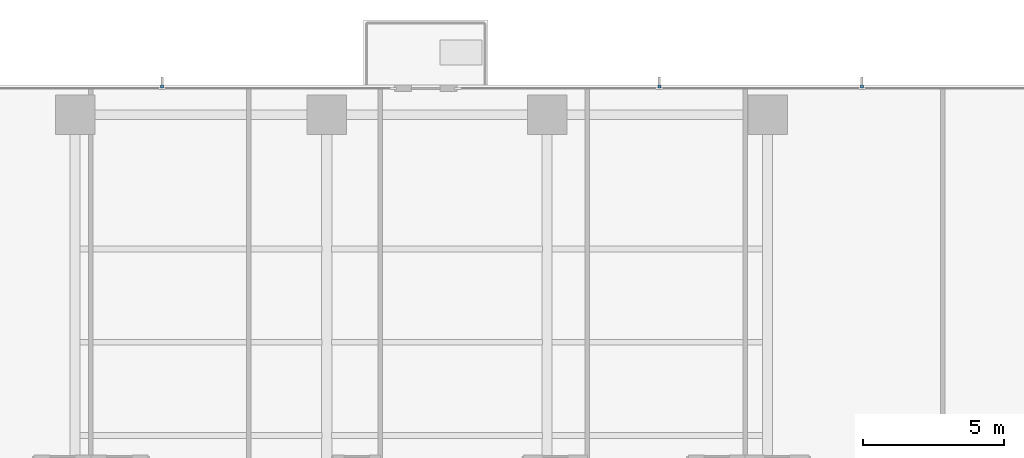
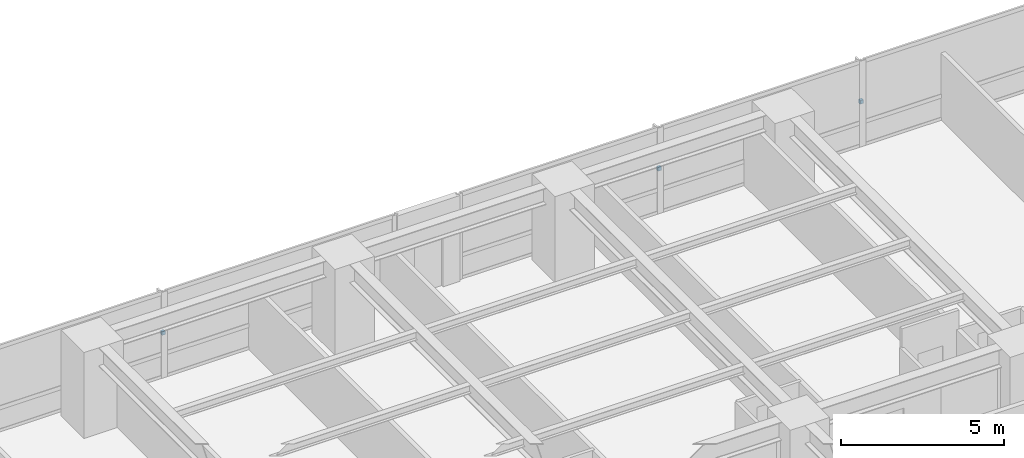
# One storey, part 14 of 17: 3 discrete accessories.
"""IFC4 building model written with IfcOpenShell, lengths in metres."""

from ifc_helpers import new_model, si_unit, direction, frame, origin, place, context, subcontext, project, spatial, polyline, outline, extrude, material, type_object, element, save


model = new_model("IFC4")

# Units and contexts
model_context = context("Model", 3, precision=1e-05, world=origin(), true_north=direction((0.0, 1.0)))
body_context = subcontext(model_context, "Body", "Model", "MODEL_VIEW")
ifc_project = project(units=[si_unit("LENGTHUNIT", "METRE"), si_unit("AREAUNIT", "SQUARE_METRE"), si_unit("VOLUMEUNIT", "CUBIC_METRE"), si_unit("PLANEANGLEUNIT", "RADIAN"), si_unit("MASSUNIT", "GRAM", prefix="KILO")], contexts=[model_context])

# Site, building, storey
site_placement = place(None, origin())
site = spatial("IfcSite", under=ifc_project, at=site_placement, CompositionType="ELEMENT")
building_placement = place(site_placement, origin())
building = spatial("IfcBuilding", under=site, at=building_placement, Name="Qalmaran Belvedere Hotel", CompositionType="ELEMENT")
storey_placement = place(building_placement, frame((0.0, 0.0, 61.39990234375)))
storey = spatial("IfcBuildingStorey", under=building, at=storey_placement, Name="L15", CompositionType="ELEMENT", Elevation=61.39990234375)

# Discrete accessories
ifc_material = material(Name="Stainless Steel 1.4401", Category="steel")
discrete_accessory_type = type_object("IfcDiscreteAccessoryType", Name="BRK-FIN-SS316", PredefinedType="BRACKET", material=ifc_material)
discrete_accessory_1_placement = place(storey_placement, frame((0.0, 0.0, 1.56005859375)))
element("IfcDiscreteAccessory", 1, at=discrete_accessory_1_placement, inside=storey, type_object=discrete_accessory_type, Name="L15 Fin Bracket 1", PredefinedType="BRACKET", context=body_context, shape_type="SweptSolid", body=[
    extrude(outline(polyline([(23.429931640625, 48.39501953125), (23.429931640625, 48.492431640625), (23.320068359375, 48.492431640625), (23.320068359375, 48.39501953125), (23.429931640625, 48.39501953125)])), origin(), (0.0, 0.0, 1.0), 0.14013671875),
])
discrete_accessory_2_placement = place(storey_placement, frame((0.0, 0.0, 1.56005859375)))
element("IfcDiscreteAccessory", 2, at=discrete_accessory_2_placement, inside=storey, type_object=discrete_accessory_type, Name="L15 Fin Bracket 1", PredefinedType="BRACKET", context=body_context, shape_type="SweptSolid", body=[
    extrude(outline(polyline([(48.188232421875, 48.39501953125), (48.188232421875, 48.492431640625), (48.078369140625, 48.492431640625), (48.078369140625, 48.39501953125), (48.188232421875, 48.39501953125)])), origin(), (0.0, 0.0, 1.0), 0.14013671875),
])
discrete_accessory_3_placement = place(storey_placement, frame((0.0, 0.0, 1.56005859375)))
element("IfcDiscreteAccessory", 3, at=discrete_accessory_3_placement, inside=storey, type_object=discrete_accessory_type, Name="L15 Fin Bracket 2", PredefinedType="BRACKET", context=body_context, shape_type="SweptSolid", body=[
    extrude(outline(polyline([(41.021728515625, 48.39501953125), (41.021728515625, 48.492431640625), (40.91162109375, 48.492431640625), (40.91162109375, 48.39501953125), (41.021728515625, 48.39501953125)])), origin(), (0.0, 0.0, 1.0), 0.14013671875),
])

save(model, "model.ifc")
